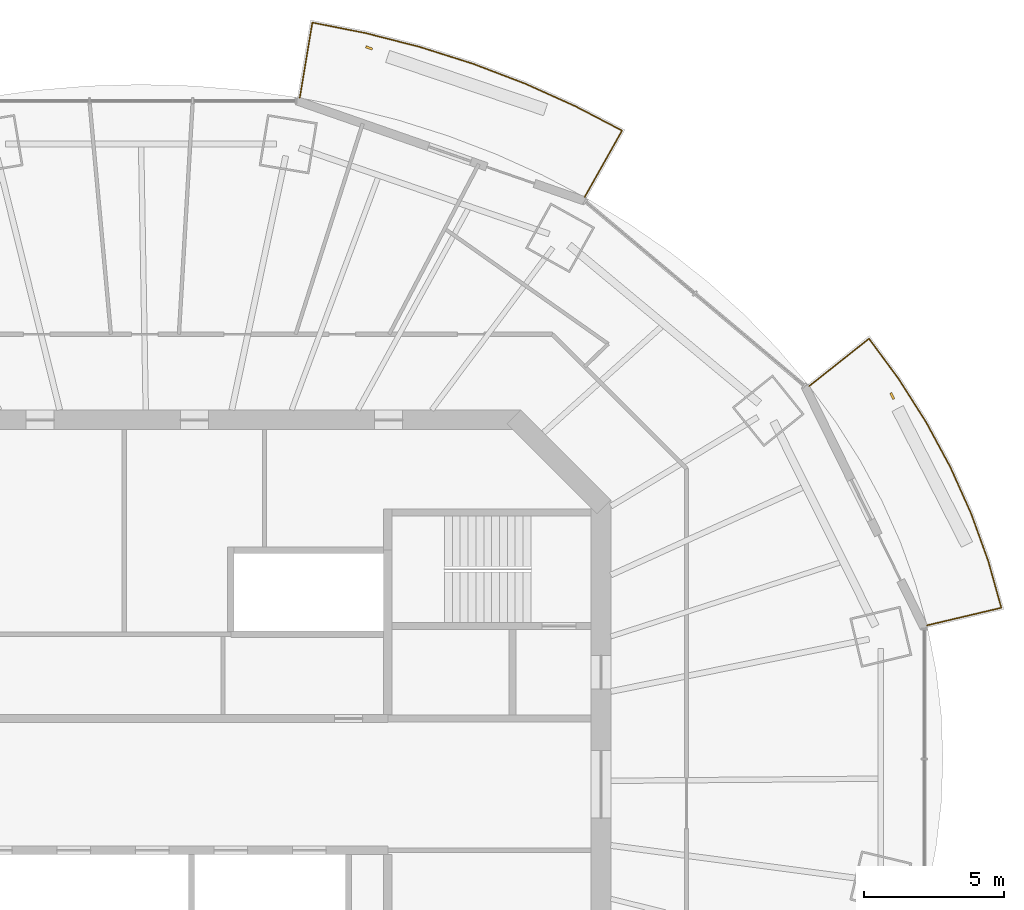
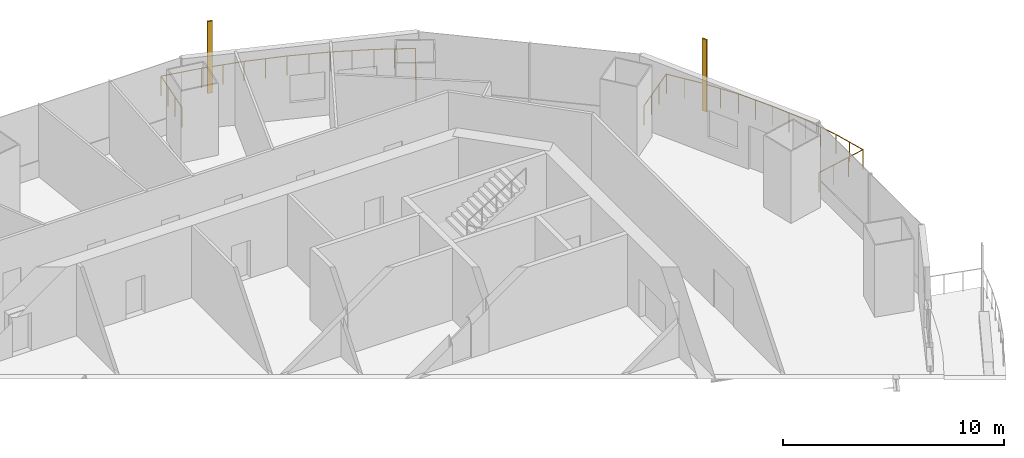
# One storey, part 15 of 16: 2 railings, 2 shading devices.
"""IFC4 building model written with IfcOpenShell, lengths in metres."""

from ifc_helpers import new_model, si_unit, direction, frame, origin, origin_2d, place, context, subcontext, project, spatial, rectangle, circle, extrude, material, material_profile, profile_set, type_object, element, save


model = new_model("IFC4")

# Units and contexts
model_context = context("Model", 3, precision=1e-05, world=origin(), true_north=direction((0.0, 1.0)))
body_context = subcontext(model_context, "Body", "Model", "MODEL_VIEW")
ifc_project = project(units=[si_unit("LENGTHUNIT", "METRE"), si_unit("AREAUNIT", "SQUARE_METRE"), si_unit("VOLUMEUNIT", "CUBIC_METRE"), si_unit("PLANEANGLEUNIT", "RADIAN"), si_unit("MASSUNIT", "GRAM", prefix="KILO")], contexts=[model_context])

# Site, building, storey
site_placement = place(None, origin())
site = spatial("IfcSite", under=ifc_project, at=site_placement, CompositionType="ELEMENT")
building_placement = place(site_placement, origin())
building = spatial("IfcBuilding", under=site, at=building_placement, Name="Marenthal Gate Tower", CompositionType="ELEMENT")
storey_placement = place(building_placement, frame((0.0, 0.0, 296.949951171875)))
storey = spatial("IfcBuildingStorey", under=building, at=storey_placement, Name="L66", CompositionType="ELEMENT", Elevation=296.949951171875)

# Railings
ifc_material_1 = material(Name="Stainless steel", Category="steel")
railing_type = type_object("IfcRailingType", Name="Balcony guard 1100", PredefinedType="GUARDRAIL", material=ifc_material_1)
railing_1_placement = place(storey_placement, frame((23.426513671875, 14.203369140625, 0.0)))
element("IfcRailing", 1, at=railing_1_placement, inside=storey, type_object=railing_type, Name="Balcony guard L66 bay 1", PredefinedType="GUARDRAIL", context=body_context, shape_type="SweptSolid", body=[
    extrude(circle(Radius=0.02392578125, at=origin_2d()), frame((0.0, 0.0, 1.076171875), z_axis=(0.783334446315, 0.62142618083, -0.014718933226), x_axis=(-0.621493506827, 0.783419313632, 0.0)), (0.0, 0.0, 1.0), 2.72021484375),
    extrude(circle(Radius=0.02392578125, at=origin_2d()), frame((2.130859375, 1.6904296875, 1.0361328125), z_axis=(0.59310034369, -0.80512855018, 0.0), x_axis=(0.80512855018, 0.59310034369, 0.0)), (0.0, 0.0, 1.0), 1.77197265625),
    extrude(circle(Radius=0.02392578125, at=origin_2d()), frame((3.181884765625, 0.263671875, 1.0361328125), z_axis=(0.536179368299, -0.844104072381, 0.0), x_axis=(0.844104072381, 0.536179368299, 0.0)), (0.0, 0.0, 1.0), 1.838623046875),
    extrude(circle(Radius=0.02392578125, at=origin_2d()), frame((4.167724609375, -1.288330078125, 1.0361328125), z_axis=(0.474067933151, -0.880488270653, 0.0), x_axis=(0.880488270653, 0.474067933151, 0.0)), (0.0, 0.0, 1.0), 1.826171875),
    extrude(circle(Radius=0.02392578125, at=origin_2d()), frame((5.033447265625, -2.896240234375, 1.0361328125), z_axis=(0.408333619035, -0.912832764292, 0.0), x_axis=(0.912832764292, 0.408333619035, 0.0)), (0.0, 0.0, 1.0), 1.815185546875),
    extrude(circle(Radius=0.02392578125, at=origin_2d()), frame((5.774658203125, -4.55322265625, 1.0361328125), z_axis=(0.33909288178, -0.940752899292, 0.0), x_axis=(0.940752899292, 0.33909288178, 0.0)), (0.0, 0.0, 1.0), 1.8056640625),
    extrude(circle(Radius=0.02392578125, at=origin_2d()), frame((6.386962890625, -6.251953125, 1.0361328125), z_axis=(0.268728447288, -0.963215978698, 0.0), x_axis=(0.963215978698, 0.268728447288, 0.0)), (0.0, 0.0, 1.0), 1.718017578125),
    extrude(circle(Radius=0.02392578125, at=origin_2d()), frame((6.8486328125, -7.90673828125, 1.0361328125), z_axis=(-0.973112411133, -0.229859886083, 0.014719649089), x_axis=(0.229884791779, -0.973217849461, 0.0)), (0.0, 0.0, 1.0), 2.72021484375),
    extrude(circle(Radius=0.02099609375, at=origin_2d()), origin(), (0.0, 0.0, 1.0), 1.052001953125),
    extrude(circle(Radius=0.02099609375, at=origin_2d()), frame((0.710205078125, 0.5634765625, -0.013427734375)), (0.0, 0.0, 1.0), 1.052001953125),
    extrude(circle(Radius=0.02099609375, at=origin_2d()), frame((1.420654296875, 1.126953125, -0.026611328125)), (0.0, 0.0, 1.0), 1.052001953125),
    extrude(circle(Radius=0.02099609375, at=origin_2d()), frame((2.130859375, 1.6904296875, -0.0400390625)), (0.0, 0.0, 1.0), 1.052001953125),
    extrude(circle(Radius=0.02099609375, at=origin_2d()), frame((2.65625, 0.97705078125, -0.0400390625)), (0.0, 0.0, 1.0), 1.052001953125),
    extrude(circle(Radius=0.02099609375, at=origin_2d()), frame((3.181884765625, 0.263671875, -0.0400390625)), (0.0, 0.0, 1.0), 1.052001953125),
    extrude(circle(Radius=0.02099609375, at=origin_2d()), frame((3.6748046875, -0.51220703125, -0.0400390625)), (0.0, 0.0, 1.0), 1.052001953125),
    extrude(circle(Radius=0.02099609375, at=origin_2d()), frame((4.167724609375, -1.288330078125, -0.0400390625)), (0.0, 0.0, 1.0), 1.052001953125),
    extrude(circle(Radius=0.02099609375, at=origin_2d()), frame((4.6005859375, -2.09228515625, -0.0400390625)), (0.0, 0.0, 1.0), 1.052001953125),
    extrude(circle(Radius=0.02099609375, at=origin_2d()), frame((5.033447265625, -2.896240234375, -0.0400390625)), (0.0, 0.0, 1.0), 1.052001953125),
    extrude(circle(Radius=0.02099609375, at=origin_2d()), frame((5.404052734375, -3.724609375, -0.0400390625)), (0.0, 0.0, 1.0), 1.052001953125),
    extrude(circle(Radius=0.02099609375, at=origin_2d()), frame((5.774658203125, -4.55322265625, -0.0400390625)), (0.0, 0.0, 1.0), 1.052001953125),
    extrude(circle(Radius=0.02099609375, at=origin_2d()), frame((6.080810546875, -5.402587890625, -0.0400390625)), (0.0, 0.0, 1.0), 1.052001953125),
    extrude(circle(Radius=0.02099609375, at=origin_2d()), frame((6.386962890625, -6.251953125, -0.0400390625)), (0.0, 0.0, 1.0), 1.052001953125),
    extrude(circle(Radius=0.02099609375, at=origin_2d()), frame((6.61767578125, -7.079345703125, -0.0400390625)), (0.0, 0.0, 1.0), 1.052001953125),
    extrude(circle(Radius=0.02099609375, at=origin_2d()), frame((6.8486328125, -7.90673828125, -0.0400390625)), (0.0, 0.0, 1.0), 1.052001953125),
    extrude(circle(Radius=0.02099609375, at=origin_2d()), frame((5.96630859375, -8.115234375, -0.026611328125)), (0.0, 0.0, 1.0), 1.052001953125),
    extrude(circle(Radius=0.02099609375, at=origin_2d()), frame((5.083984375, -8.323486328125, -0.013427734375)), (0.0, 0.0, 1.0), 1.052001953125),
    extrude(circle(Radius=0.02099609375, at=origin_2d()), frame((4.20166015625, -8.531982421875, 0.0)), (0.0, 0.0, 1.0), 1.052001953125),
])
railing_2_placement = place(storey_placement, frame((5.2578125, 24.482421875, 0.0)))
element("IfcRailing", 2, at=railing_2_placement, inside=storey, type_object=railing_type, Name="Balcony guard L66 bay 3", PredefinedType="GUARDRAIL", context=body_context, shape_type="SweptSolid", body=[
    extrude(circle(Radius=0.02392578125, at=origin_2d()), frame((0.0, 0.0, 1.076171875), z_axis=(0.16513793129, 0.986160646201, -0.014718815615), x_axis=(-0.986267486225, 0.165155822229, 0.0)), (0.0, 0.0, 1.0), 2.72021484375),
    extrude(circle(Radius=0.02392578125, at=origin_2d()), frame((0.44921875, 2.6826171875, 1.0361328125), z_axis=(0.98107877251, -0.193608992898, 0.0), x_axis=(0.193608992898, 0.98107877251, 0.0)), (0.0, 0.0, 1.0), 1.929443359375),
    extrude(circle(Radius=0.02392578125, at=origin_2d()), frame((2.342041015625, 2.30908203125, 1.0361328125), z_axis=(0.968932635782, -0.24732478104, 0.0), x_axis=(0.24732478104, 0.968932635782, 0.0)), (0.0, 0.0, 1.0), 2.001953125),
    extrude(circle(Radius=0.02392578125, at=origin_2d()), frame((4.28173828125, 1.81396484375, 1.0361328125), z_axis=(0.953365734412, -0.301817455508, 0.0), x_axis=(0.301817455508, 0.953365734412, 0.0)), (0.0, 0.0, 1.0), 1.992431640625),
    extrude(circle(Radius=0.02392578125, at=origin_2d()), frame((6.18115234375, 1.212646484375, 1.0361328125), z_axis=(0.934386218754, -0.356261693426, 0.0), x_axis=(0.356261693426, 0.934386218754, 0.0)), (0.0, 0.0, 1.0), 1.98193359375),
    extrude(circle(Radius=0.02392578125, at=origin_2d()), frame((8.032958984375, 0.506591796875, 1.0361328125), z_axis=(0.911993375146, -0.410204928894, 0.0), x_axis=(0.410204928894, 0.911993375146, 0.0)), (0.0, 0.0, 1.0), 1.969970703125),
    extrude(circle(Radius=0.02392578125, at=origin_2d()), frame((9.82958984375, -0.301513671875, 1.0361328125), z_axis=(0.886672985155, -0.462397034372, 0.0), x_axis=(0.462397034372, 0.886672985155, 0.0)), (0.0, 0.0, 1.0), 1.87646484375),
    extrude(circle(Radius=0.02392578125, at=origin_2d()), frame((11.493408203125, -1.169189453125, 1.0361328125), z_axis=(-0.490284829029, -0.87143798094, 0.01471841698), x_axis=(0.871532386867, -0.490337943301, 0.0)), (0.0, 0.0, 1.0), 2.720458984375),
    extrude(circle(Radius=0.02099609375, at=origin_2d()), origin(), (0.0, 0.0, 1.0), 1.052001953125),
    extrude(circle(Radius=0.02099609375, at=origin_2d()), frame((0.149658203125, 0.894287109375, -0.013427734375)), (0.0, 0.0, 1.0), 1.052001953125),
    extrude(circle(Radius=0.02099609375, at=origin_2d()), frame((0.299560546875, 1.788330078125, -0.026611328125)), (0.0, 0.0, 1.0), 1.052001953125),
    extrude(circle(Radius=0.02099609375, at=origin_2d()), frame((0.44921875, 2.6826171875, -0.0400390625)), (0.0, 0.0, 1.0), 1.052001953125),
    extrude(circle(Radius=0.02099609375, at=origin_2d()), frame((1.3955078125, 2.495849609375, -0.0400390625)), (0.0, 0.0, 1.0), 1.052001953125),
    extrude(circle(Radius=0.02099609375, at=origin_2d()), frame((2.342041015625, 2.30908203125, -0.0400390625)), (0.0, 0.0, 1.0), 1.052001953125),
    extrude(circle(Radius=0.02099609375, at=origin_2d()), frame((3.31201171875, 2.0615234375, -0.0400390625)), (0.0, 0.0, 1.0), 1.052001953125),
    extrude(circle(Radius=0.02099609375, at=origin_2d()), frame((4.28173828125, 1.81396484375, -0.0400390625)), (0.0, 0.0, 1.0), 1.052001953125),
    extrude(circle(Radius=0.02099609375, at=origin_2d()), frame((5.2314453125, 1.51318359375, -0.0400390625)), (0.0, 0.0, 1.0), 1.052001953125),
    extrude(circle(Radius=0.02099609375, at=origin_2d()), frame((6.18115234375, 1.212646484375, -0.0400390625)), (0.0, 0.0, 1.0), 1.052001953125),
    extrude(circle(Radius=0.02099609375, at=origin_2d()), frame((7.10693359375, 0.859619140625, -0.0400390625)), (0.0, 0.0, 1.0), 1.052001953125),
    extrude(circle(Radius=0.02099609375, at=origin_2d()), frame((8.032958984375, 0.506591796875, -0.0400390625)), (0.0, 0.0, 1.0), 1.052001953125),
    extrude(circle(Radius=0.02099609375, at=origin_2d()), frame((8.93115234375, 0.1025390625, -0.0400390625)), (0.0, 0.0, 1.0), 1.052001953125),
    extrude(circle(Radius=0.02099609375, at=origin_2d()), frame((9.82958984375, -0.301513671875, -0.0400390625)), (0.0, 0.0, 1.0), 1.052001953125),
    extrude(circle(Radius=0.02099609375, at=origin_2d()), frame((10.66162109375, -0.7353515625, -0.0400390625)), (0.0, 0.0, 1.0), 1.052001953125),
    extrude(circle(Radius=0.02099609375, at=origin_2d()), frame((11.493408203125, -1.169189453125, -0.0400390625)), (0.0, 0.0, 1.0), 1.052001953125),
    extrude(circle(Radius=0.02099609375, at=origin_2d()), frame((11.048828125, -1.95947265625, -0.026611328125)), (0.0, 0.0, 1.0), 1.052001953125),
    extrude(circle(Radius=0.02099609375, at=origin_2d()), frame((10.604248046875, -2.74951171875, -0.013427734375)), (0.0, 0.0, 1.0), 1.052001953125),
    extrude(circle(Radius=0.02099609375, at=origin_2d()), frame((10.15966796875, -3.539794921875, 0.0)), (0.0, 0.0, 1.0), 1.052001953125),
])

# Shading devices
ifc_material_2 = material(Name="Terracotta", Category="masonry")
ifc_material_profile = material_profile(ifc_material_2, rectangle(XDim=0.25, YDim=0.080078125, at=origin_2d()), Name="Terracotta baguette 250x80")
ifc_profile_set = profile_set([ifc_material_profile], Name="Terracotta")
shading_device_type = type_object("IfcShadingDeviceType", Name="Terracotta BAGUETTE SCREEN 250x80", PredefinedType="USERDEFINED", material=ifc_profile_set)
for number, where, z_axis, x_axis, name in (
    (3, (26.38525390625, 13.8505859375, -0.0400390625), (0.0, 0.0, 1.0), (-0.441623511691, 0.897200464735, 0.0), "Terracotta BAGUETTE L66 bay 1R"),
    (4, (7.729736328125, 26.2626953125, -0.0400390625), (0.0, 0.0, 1.0), (-0.944279584145, 0.329144446962, 0.0), "Terracotta BAGUETTE L66 bay 3R"),
):
    element("IfcShadingDevice", number, at=place(storey_placement, frame(where, z_axis=z_axis, x_axis=x_axis)), inside=storey, type_object=shading_device_type, Name=name, ObjectType="BAGUETTE SCREEN", PredefinedType="USERDEFINED", context=body_context, shape_type="SweptSolid", body=[
        extrude(rectangle(XDim=0.25, YDim=0.080078125, at=origin_2d()), origin(), (0.0, 0.0, 1.0), 3.969970703125),
    ])

save(model, "model.ifc")
